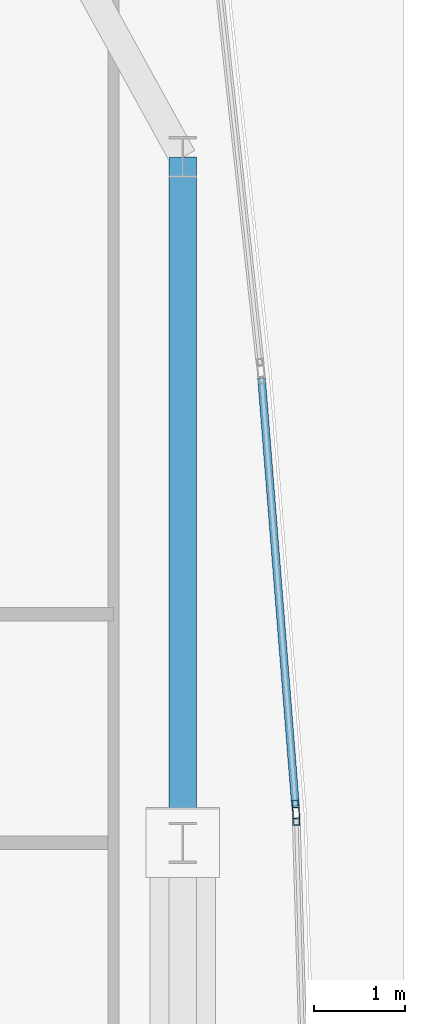
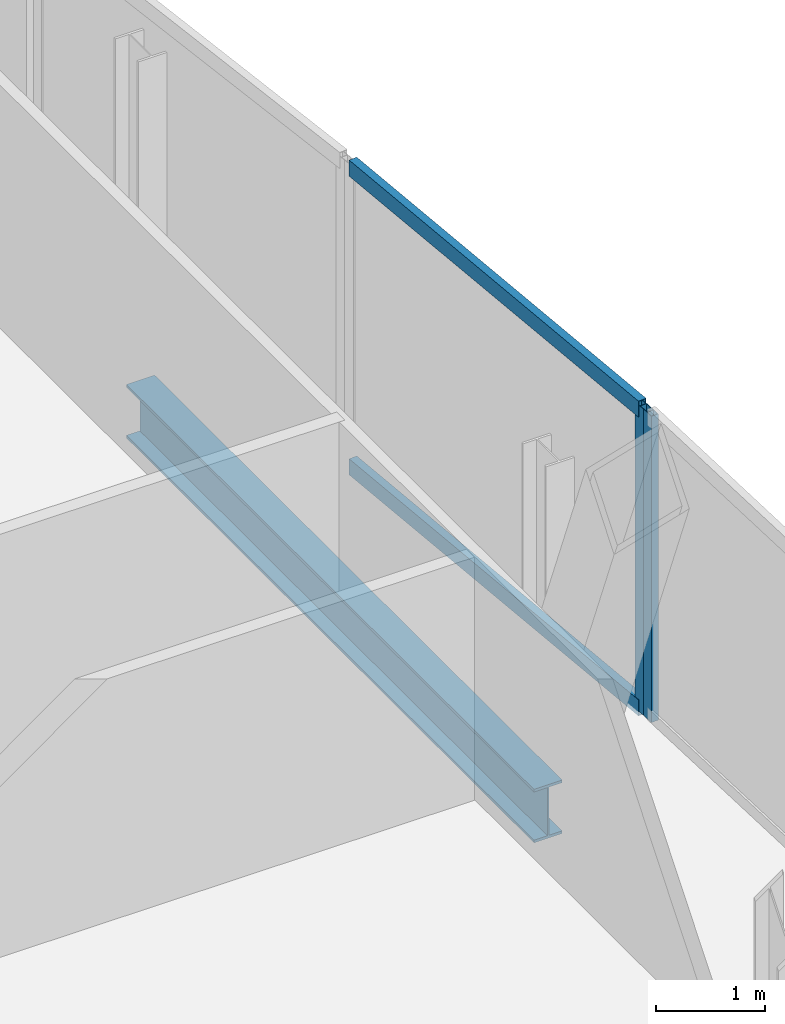
# One storey, part 20 of 32: 4 members, 1 beam, 2 elements without a shape of their own.
"""IFC4 building model written with IfcOpenShell, lengths in metres."""

from ifc_helpers import new_model, si_unit, direction, frame, origin, origin_2d, place, context, subcontext, project, spatial, hollow_rectangle, i_section, extrude, material, material_profile, profile_set, type_object, element, aggregate, save


model = new_model("IFC4")

# Units and contexts
model_context = context("Model", 3, precision=1e-05, world=origin(), true_north=direction((0.0, 1.0)))
body_context = subcontext(model_context, "Body", "Model", "MODEL_VIEW")
ifc_project = project(units=[si_unit("LENGTHUNIT", "METRE"), si_unit("AREAUNIT", "SQUARE_METRE"), si_unit("VOLUMEUNIT", "CUBIC_METRE"), si_unit("PLANEANGLEUNIT", "RADIAN"), si_unit("MASSUNIT", "GRAM", prefix="KILO")], contexts=[model_context])

# Site, building, storey
site_placement = place(None, origin())
site = spatial("IfcSite", under=ifc_project, at=site_placement, CompositionType="ELEMENT")
building_placement = place(site_placement, origin())
building = spatial("IfcBuilding", under=site, at=building_placement, Name="Khoronbel Lancet Exchange", CompositionType="ELEMENT")
storey_placement = place(building_placement, frame((0.0, 0.0, 188.60009765625)))
storey = spatial("IfcBuildingStorey", under=building, at=storey_placement, Name="L47", CompositionType="ELEMENT", Elevation=188.60009765625)

# Beam
ifc_material_1 = material(Name="Steel S355", Category="steel")
ifc_material_profile_1 = material_profile(ifc_material_1, i_section(OverallWidth=0.300048828125, OverallDepth=0.60009765625, WebThickness=0.015380859375, FlangeThickness=0.030029296875, at=origin_2d()), Name="HEB 600")
ifc_profile_set_1 = profile_set([ifc_material_profile_1], Name="Steel S355")
beam_type = type_object("IfcBeamType", Name="BM-BSP2", PredefinedType="SPANDREL", material=ifc_profile_set_1)
beam_placement = place(storey_placement, frame((65.6298828125, 35.699951171875, -0.460205078125), z_axis=(0.0, 1.0, 0.0), x_axis=(-1.0, 0.0, 0.0)))
element("IfcBeam", 1, at=beam_placement, inside=storey, type_object=beam_type, Name="Level L47 perimeter spandrel beam SP12", PredefinedType="SPANDREL", context=body_context, shape_type="SweptSolid", body=[
    extrude(i_section(OverallWidth=0.300048828125, OverallDepth=0.60009765625, WebThickness=0.015380859375, FlangeThickness=0.030029296875, at=origin_2d()), origin(), (0.0, 0.0, 1.0), 7.5),
])

# Curtain wall, member
ifc_material_2 = material(Name="Low-E Solar Control Insulating Glass", Category="glass")
curtain_wall_type = type_object("IfcCurtainWallType", Name="CW-4", PredefinedType="NOTDEFINED", material=ifc_material_2)
curtain_wall_1_placement = place(storey_placement, origin())
curtain_wall_1 = element("IfcCurtainWall", 2, at=curtain_wall_1_placement, inside=storey, type_object=curtain_wall_type, Name="Unitised curtain wall CW-L47-E18", PredefinedType="NOTDEFINED")
ifc_material_3 = material(Name="Bronze-Anodised Aluminium 6063-T6", Category="aluminium")
ifc_material_profile_2 = material_profile(ifc_material_3, hollow_rectangle(XDim=0.074951171875, YDim=0.199951171875, WallThickness=0.0048828125, at=origin_2d()), Name="ALU MULLION 75x200")
ifc_profile_set_2 = profile_set([ifc_material_profile_2], Name="Bronze-Anodised Aluminium 6063-T6")
member_type_1 = type_object("IfcMemberType", Name="MEM-CWM2", PredefinedType="MULLION", material=ifc_profile_set_2)
member_1_placement = place(storey_placement, frame((66.866455078125, 36.065673828125, 0.0), z_axis=(0.0, 0.0, 1.0), x_axis=(0.996854401909, 0.079254661653, 0.0)))
member_1 = element("IfcMember", 3, at=member_1_placement, type_object=member_type_1, Name="CW4 mullion 2", PredefinedType="MULLION", context=body_context, shape_type="SweptSolid", body=[
    extrude(hollow_rectangle(XDim=0.074951171875, YDim=0.199951171875, WallThickness=0.0048828125, at=origin_2d()), origin(), (0.0, 0.0, 1.0), 3.43994140625),
])

curtain_wall_2_placement = place(storey_placement, origin())
curtain_wall_2 = element("IfcCurtainWall", 4, at=curtain_wall_2_placement, inside=storey, type_object=curtain_wall_type, Name="Unitised curtain wall CW-L47-E19", PredefinedType="NOTDEFINED")
member_2_placement = place(storey_placement, frame((66.87060546875, 35.990966796875, 0.0), z_axis=(0.0, 0.0, 1.0), x_axis=(0.999576300376, 0.029107039142, 0.0)))
member_2 = element("IfcMember", 5, at=member_2_placement, type_object=member_type_1, Name="CW4 mullion 1", PredefinedType="MULLION", context=body_context, shape_type="SweptSolid", body=[
    extrude(hollow_rectangle(XDim=0.074951171875, YDim=0.199951171875, WallThickness=0.0048828125, at=origin_2d()), origin(), (0.0, 0.0, 1.0), 3.43994140625),
])
aggregate(curtain_wall_2, [member_2])

# Member
ifc_material_profile_3 = material_profile(ifc_material_3, hollow_rectangle(XDim=0.0849609375, YDim=0.179931640625, WallThickness=0.0048828125, at=origin_2d()), Name="ALU TRANSOM 85x180")
ifc_profile_set_3 = profile_set([ifc_material_profile_3], Name="Bronze-Anodised Aluminium 6063-T6")
member_type_2 = type_object("IfcMemberType", Name="MEM-CWT1", PredefinedType="USERDEFINED", material=ifc_profile_set_3)
member_3_placement = place(storey_placement, frame((66.491455078125, 40.783447265625, 0.04248046875), z_axis=(0.079249179589, -0.996854837744, 0.0), x_axis=(0.996854837744, 0.079249179589, 0.0)))
member_3 = element("IfcMember", 6, at=member_3_placement, type_object=member_type_2, Name="CW4 transom 1.1", ObjectType="TRANSOM", PredefinedType="USERDEFINED", context=body_context, shape_type="SweptSolid", body=[
    extrude(hollow_rectangle(XDim=0.0849609375, YDim=0.179931640625, WallThickness=0.0048828125, at=origin_2d()), origin(), (0.0, 0.0, 1.0), 4.69482421875),
])

member_4_placement = place(storey_placement, frame((66.491455078125, 40.783447265625, 3.3974609375), z_axis=(0.079249179589, -0.996854837744, 0.0), x_axis=(0.996854837744, 0.079249179589, 0.0)))
member_4 = element("IfcMember", 7, at=member_4_placement, type_object=member_type_2, Name="CW4 transom 1.2", ObjectType="TRANSOM", PredefinedType="USERDEFINED", context=body_context, shape_type="SweptSolid", body=[
    extrude(hollow_rectangle(XDim=0.0849609375, YDim=0.179931640625, WallThickness=0.0048828125, at=origin_2d()), origin(), (0.0, 0.0, 1.0), 4.69482421875),
])

aggregate(curtain_wall_1, [member_1, member_3, member_4])

save(model, "model.ifc")
